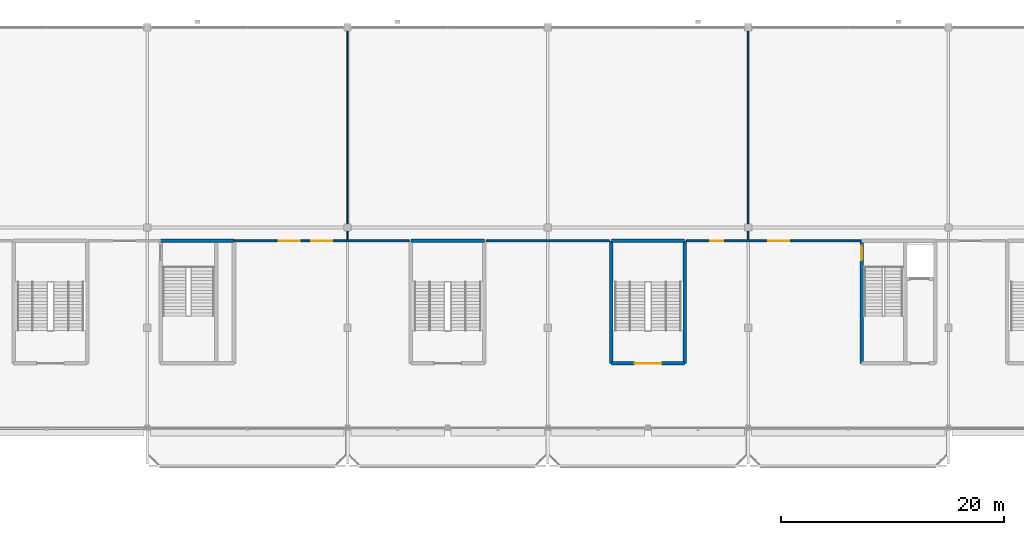
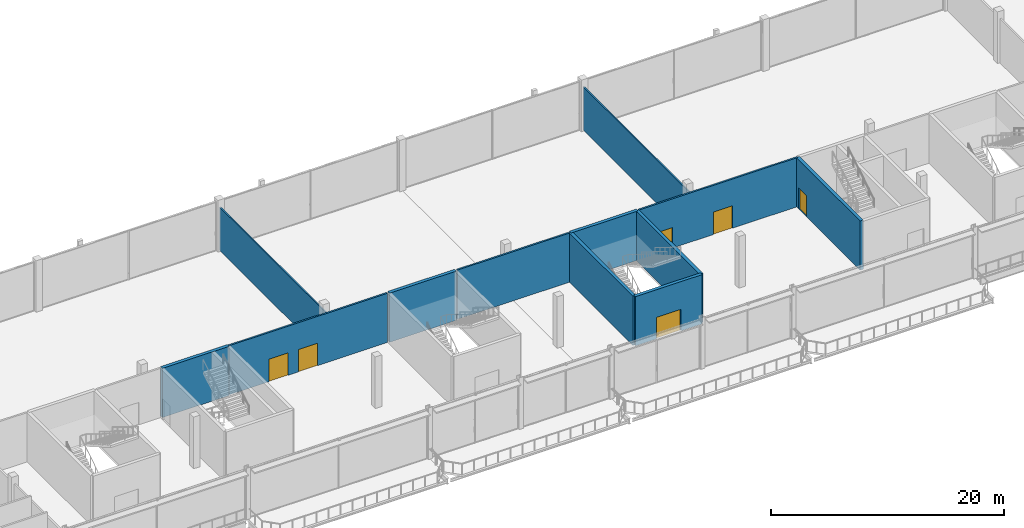
# One storey, part 68 of 113: 12 walls, 6 doors, 6 openings.
"""IFC4 building model written with IfcOpenShell, lengths in metres."""

from ifc_helpers import new_model, si_unit, direction, frame, frame_2d, origin, place, context, subcontext, project, spatial, rectangle, extrude, material, layer, layer_set, type_object, element, fill, save


model = new_model("IFC4")

# Units and contexts
model_context = context("Model", 3, precision=1e-05, world=origin(), true_north=direction((0.0, 1.0)))
body_context = subcontext(model_context, "Body", "Model", "MODEL_VIEW")
ifc_project = project(units=[si_unit("LENGTHUNIT", "METRE"), si_unit("AREAUNIT", "SQUARE_METRE"), si_unit("VOLUMEUNIT", "CUBIC_METRE"), si_unit("PLANEANGLEUNIT", "RADIAN"), si_unit("MASSUNIT", "GRAM", prefix="KILO")], contexts=[model_context])

# Site, building, storey
site_placement = place(None, origin())
site = spatial("IfcSite", under=ifc_project, at=site_placement, CompositionType="ELEMENT")
building_placement = place(site_placement, origin())
building = spatial("IfcBuilding", under=site, at=building_placement, Name="Kisiwana Market Hall", CompositionType="ELEMENT")
storey_placement = place(building_placement, frame((0.0, 0.0, 6.0)))
storey = spatial("IfcBuildingStorey", under=building, at=storey_placement, Name="L01", CompositionType="ELEMENT", Elevation=6.0)

# Wall
ifc_material_1 = material(Name="Concrete C40/50", Category="concrete")
ifc_layer_1 = layer(ifc_material_1, 0.320068359375, Name="Reinforced concrete shaft wall")
ifc_layer_set_1 = layer_set([ifc_layer_1], Name="WL-CORE-320")
wall_type_1 = type_object("IfcWallType", Name="WL-CORE-320", PredefinedType="SHEAR", material=ifc_layer_set_1)
wall_1_placement = place(storey_placement, frame((64.199951171875, 100.800048828125, 0.0), z_axis=(0.0, 0.0, 1.0), x_axis=(1.0, 0.0, 0.0)))
element("IfcWall", 1, at=wall_1_placement, inside=storey, type_object=wall_type_1, Name="Core N1 north wall W-0720", PredefinedType="SHEAR", context=body_context, shape_type="SweptSolid", body=[
    extrude(rectangle(XDim=6.60009765625, YDim=0.320068359375, at=frame_2d((3.300048828125, 0.0))), origin(), (0.0, 0.0, 1.0), 5.14990234375),
])

# Wall, opening, door
wall_2_placement = place(storey_placement, frame((127.199951171875, 89.800048828125, 0.0), z_axis=(0.0, 0.0, 1.0), x_axis=(0.0, 1.0, 0.0)))
wall_2 = element("IfcWall", 2, at=wall_2_placement, inside=storey, type_object=wall_type_1, Name="Core N2 west wall W-0726", PredefinedType="SHEAR", context=body_context, shape_type="SweptSolid", body=[
    extrude(rectangle(XDim=11.0, YDim=0.320068359375, at=frame_2d((5.5, 0.0))), origin(), (0.0, 0.0, 1.0), 5.14990234375),
])
opening_1_placement = place(wall_2_placement, frame((9.25, 0.0, 0.0)))
opening_1 = element("IfcOpeningElement", 3, at=opening_1_placement, cuts=wall_2, Name="Opening DR-L01-017", PredefinedType="OPENING", context=body_context, shape_type="SweptSolid", body=[
    extrude(rectangle(XDim=1.300048828125, YDim=2.199951171875, at=frame_2d((0.64990234375, 1.10009765625))), frame((0.0, 0.171875, 0.0), z_axis=(0.0, -1.0, 0.0), x_axis=(1.0, 0.0, 0.0)), (0.0, 0.0, 1.0), 0.343994140625),
])
ifc_material_2 = material(Name="Steel S275", Category="steel")
door_type_1 = type_object("IfcDoorType", Name="DR-STAIR-FD120-1300", OperationType="NOTDEFINED", PredefinedType="DOOR", material=ifc_material_2)
door_1_placement = place(opening_1_placement, origin())
door_1 = element("IfcDoor", 4, at=door_1_placement, inside=storey, type_object=door_type_1, Name="Podium Escape Stair N2 Fire Door (L01)", OperationType="SINGLE_SWING_RIGHT", OverallHeight=2.199951171875, OverallWidth=1.300048828125, PredefinedType="DOOR", context=body_context, shape_type="SweptSolid", body=[
    extrude(rectangle(XDim=1.300048828125, YDim=2.199951171875, at=frame_2d((0.64990234375, 1.10009765625))), frame((0.0, 0.02490234375, 0.0), z_axis=(0.0, -1.0, 0.0), x_axis=(1.0, 0.0, 0.0)), (0.0, 0.0, 1.0), 0.050048828125),
])
fill(opening_1, door_1)

# Wall
wall_3_placement = place(storey_placement, frame((86.699951171875, 100.800048828125, 0.0), z_axis=(0.0, 0.0, 1.0), x_axis=(1.0, 0.0, 0.0)))
element("IfcWall", 5, at=wall_3_placement, inside=storey, type_object=wall_type_1, Name="Core N4 outer shear wall W-0807", PredefinedType="SHEAR", context=body_context, shape_type="SweptSolid", body=[
    extrude(rectangle(XDim=6.60009765625, YDim=0.320068359375, at=frame_2d((3.300048828125, 0.0))), origin(), (0.0, 0.0, 1.0), 5.14990234375),
])

# Wall, opening, door
wall_4_placement = place(storey_placement, frame((104.699951171875, 89.800048828125, 0.0), z_axis=(0.0, 0.0, 1.0), x_axis=(1.0, 0.0, 0.0)))
wall_4 = element("IfcWall", 6, at=wall_4_placement, inside=storey, type_object=wall_type_1, Name="Core N5 corridor shear wall W-0814", PredefinedType="SHEAR", context=body_context, shape_type="SweptSolid", body=[
    extrude(rectangle(XDim=6.60009765625, YDim=0.320068359375, at=frame_2d((3.300048828125, 0.0))), origin(), (0.0, 0.0, 1.0), 5.14990234375),
])
opening_2_placement = place(wall_4_placement, frame((2.10009765625, 0.0, 0.0)))
opening_2 = element("IfcOpeningElement", 7, at=opening_2_placement, cuts=wall_4, Name="Opening DR-L01-038", PredefinedType="OPENING", context=body_context, shape_type="SweptSolid", body=[
    extrude(rectangle(XDim=2.39990234375, YDim=2.25, at=frame_2d((1.199951171875, 1.125))), frame((0.0, 0.171875, 0.0), z_axis=(0.0, -1.0, 0.0), x_axis=(1.0, 0.0, 0.0)), (0.0, 0.0, 1.0), 0.343994140625),
])
ifc_material_3 = material(Name="Steel S275", Category="steel")
door_type_2 = type_object("IfcDoorType", Name="DR-STAIR-FD120-2400", OperationType="DOUBLE_DOOR_SINGLE_SWING", PredefinedType="DOOR", material=ifc_material_3)
door_2_placement = place(opening_2_placement, origin())
door_2 = element("IfcDoor", 8, at=door_2_placement, inside=storey, type_object=door_type_2, Name="Escape Stair N5 Fire Door (L01)", OperationType="DOUBLE_DOOR_SINGLE_SWING", OverallHeight=2.25, OverallWidth=2.39990234375, PredefinedType="DOOR", context=body_context, shape_type="SweptSolid", body=[
    extrude(rectangle(XDim=2.39990234375, YDim=2.25, at=frame_2d((1.199951171875, 1.125))), frame((0.0, 0.02490234375, 0.0), z_axis=(0.0, -1.0, 0.0), x_axis=(1.0, 0.0, 0.0)), (0.0, 0.0, 1.0), 0.050048828125),
])
fill(opening_2, door_2)

# Walls
wall_5_placement = place(storey_placement, frame((104.699951171875, 100.800048828125, 0.0), z_axis=(0.0, 0.0, 1.0), x_axis=(1.0, 0.0, 0.0)))
element("IfcWall", 9, at=wall_5_placement, inside=storey, type_object=wall_type_1, Name="Core N5 outer shear wall W-0815", PredefinedType="SHEAR", context=body_context, shape_type="SweptSolid", body=[
    extrude(rectangle(XDim=6.60009765625, YDim=0.320068359375, at=frame_2d((3.300048828125, 0.0))), origin(), (0.0, 0.0, 1.0), 5.14990234375),
])
for number, where, z_axis, x_axis, name in (
    (10, (104.699951171875, 89.800048828125, 0.0), (0.0, 0.0, 1.0), (0.0, 1.0, 0.0), "Core N5 west shear wall W-0816"),
    (11, (111.300048828125, 89.800048828125, 0.0), (0.0, 0.0, 1.0), (0.0, 1.0, 0.0), "Core N5 east shear wall W-0817"),
):
    element("IfcWall", number, at=place(storey_placement, frame(where, z_axis=z_axis, x_axis=x_axis)), inside=storey, type_object=wall_type_1, Name=name, PredefinedType="SHEAR", context=body_context, shape_type="SweptSolid", body=[
        extrude(rectangle(XDim=11.0, YDim=0.320068359375, at=frame_2d((5.5, 0.0))), origin(), (0.0, 0.0, 1.0), 5.14990234375),
    ])

# Wall, openings, doors
ifc_material_4 = material(Name="Masonry blockwork", Category="masonry")
ifc_layer_2 = layer(ifc_material_4, 0.169921875, Name="Protected corridor partition")
ifc_layer_set_2 = layer_set([ifc_layer_2], Name="WL-CORR-170")
wall_type_2 = type_object("IfcWallType", Name="WL-CORR-170", PredefinedType="PARTITIONING", material=ifc_layer_set_2)
wall_6_placement = place(storey_placement, frame((70.800048828125, 100.800048828125, 0.0), z_axis=(0.0, 0.0, 1.0), x_axis=(1.0, 0.0, 0.0)))
wall_6 = element("IfcWall", 12, at=wall_6_placement, inside=storey, type_object=wall_type_2, Name="Interior partition W-0913", PredefinedType="PARTITIONING", context=body_context, shape_type="SweptSolid", body=[
    extrude(rectangle(XDim=15.739990234375, YDim=0.169921875, at=frame_2d((7.8701171875, 0.0))), origin(), (0.0, 0.0, 1.0), 5.14990234375),
])
opening_3_placement = place(wall_6_placement, frame((4.0, 0.0, 0.0)))
opening_3 = element("IfcOpeningElement", 13, at=opening_3_placement, cuts=wall_6, Name="Opening DR-L01-084", PredefinedType="OPENING", context=body_context, shape_type="SweptSolid", body=[
    extrude(rectangle(XDim=1.89990234375, YDim=2.35009765625, at=frame_2d((0.949951171875, 1.175048828125))), frame((0.0, 0.096923828125, 0.0), z_axis=(0.0, -1.0, 0.0), x_axis=(1.0, 0.0, 0.0)), (0.0, 0.0, 1.0), 0.19384765625),
])
opening_4_placement = place(wall_6_placement, frame((6.919921875, 0.0, 0.0)))
opening_4 = element("IfcOpeningElement", 14, at=opening_4_placement, cuts=wall_6, Name="Opening DR-L01-085", PredefinedType="OPENING", context=body_context, shape_type="SweptSolid", body=[
    extrude(rectangle(XDim=1.89990234375, YDim=2.35009765625, at=frame_2d((0.949951171875, 1.175048828125))), frame((0.0, 0.096923828125, 0.0), z_axis=(0.0, -1.0, 0.0), x_axis=(1.0, 0.0, 0.0)), (0.0, 0.0, 1.0), 0.19384765625),
])
ifc_material_5 = material(Name="Steel S275", Category="steel")
door_type_3 = type_object("IfcDoorType", Name="DR-HALL-1900", OperationType="DOUBLE_DOOR_SINGLE_SWING", PredefinedType="DOOR", material=ifc_material_5)
door_3_placement = place(opening_3_placement, origin())
door_3 = element("IfcDoor", 15, at=door_3_placement, inside=storey, type_object=door_type_3, Name="L01 Food Court NW Inner Door", OperationType="DOUBLE_DOOR_SINGLE_SWING", OverallHeight=2.35009765625, OverallWidth=1.89990234375, PredefinedType="DOOR", context=body_context, shape_type="SweptSolid", body=[
    extrude(rectangle(XDim=1.89990234375, YDim=2.35009765625, at=frame_2d((0.949951171875, 1.175048828125))), frame((0.0, 0.02490234375, 0.0), z_axis=(0.0, -1.0, 0.0), x_axis=(1.0, 0.0, 0.0)), (0.0, 0.0, 1.0), 0.050048828125),
])
fill(opening_3, door_3)
door_4_placement = place(opening_4_placement, origin())
door_4 = element("IfcDoor", 16, at=door_4_placement, inside=storey, type_object=door_type_3, Name="L01 Food Court Central North Door", OperationType="DOUBLE_DOOR_SINGLE_SWING", OverallHeight=2.35009765625, OverallWidth=1.89990234375, PredefinedType="DOOR", context=body_context, shape_type="SweptSolid", body=[
    extrude(rectangle(XDim=1.89990234375, YDim=2.35009765625, at=frame_2d((0.949951171875, 1.175048828125))), frame((0.0, 0.02490234375, 0.0), z_axis=(0.0, -1.0, 0.0), x_axis=(1.0, 0.0, 0.0)), (0.0, 0.0, 1.0), 0.050048828125),
])
fill(opening_4, door_4)

# Wall
wall_7_placement = place(storey_placement, frame((93.4599609375, 100.800048828125, 0.0), z_axis=(0.0, 0.0, 1.0), x_axis=(1.0, 0.0, 0.0)))
element("IfcWall", 17, at=wall_7_placement, inside=storey, type_object=wall_type_2, Name="Interior partition W-0914", PredefinedType="PARTITIONING", context=body_context, shape_type="SweptSolid", body=[
    extrude(rectangle(XDim=11.080078125, YDim=0.169921875, at=frame_2d((5.5400390625, 0.0))), origin(), (0.0, 0.0, 1.0), 5.14990234375),
])

# Wall, openings, doors
wall_8_placement = place(storey_placement, frame((111.4599609375, 100.800048828125, 0.0), z_axis=(0.0, 0.0, 1.0), x_axis=(1.0, 0.0, 0.0)))
wall_8 = element("IfcWall", 18, at=wall_8_placement, inside=storey, type_object=wall_type_2, Name="Interior partition W-0915", PredefinedType="PARTITIONING", context=body_context, shape_type="SweptSolid", body=[
    extrude(rectangle(XDim=15.739990234375, YDim=0.169921875, at=frame_2d((7.8701171875, 0.0))), origin(), (0.0, 0.0, 1.0), 5.14990234375),
])
opening_5_placement = place(wall_8_placement, frame((7.340087890625, 0.0, 0.0)))
opening_5 = element("IfcOpeningElement", 19, at=opening_5_placement, cuts=wall_8, Name="Opening DR-L01-086", PredefinedType="OPENING", context=body_context, shape_type="SweptSolid", body=[
    extrude(rectangle(XDim=1.89990234375, YDim=2.35009765625, at=frame_2d((0.949951171875, 1.175048828125))), frame((0.0, 0.096923828125, 0.0), z_axis=(0.0, -1.0, 0.0), x_axis=(1.0, 0.0, 0.0)), (0.0, 0.0, 1.0), 0.19384765625),
])
opening_6_placement = place(wall_8_placement, frame((2.14990234375, 0.0, 0.0)))
opening_6 = element("IfcOpeningElement", 20, at=opening_6_placement, cuts=wall_8, Name="Opening DR-L01-087", PredefinedType="OPENING", context=body_context, shape_type="SweptSolid", body=[
    extrude(rectangle(XDim=1.14990234375, YDim=2.14990234375, at=frame_2d((0.574951171875, 1.074951171875))), frame((0.0, 0.096923828125, 0.0), z_axis=(0.0, -1.0, 0.0), x_axis=(1.0, 0.0, 0.0)), (0.0, 0.0, 1.0), 0.19384765625),
])
door_5_placement = place(opening_5_placement, origin())
door_5 = element("IfcDoor", 21, at=door_5_placement, inside=storey, type_object=door_type_3, Name="L01 Food Court NE Inner Door", OperationType="DOUBLE_DOOR_SINGLE_SWING", OverallHeight=2.35009765625, OverallWidth=1.89990234375, PredefinedType="DOOR", context=body_context, shape_type="SweptSolid", body=[
    extrude(rectangle(XDim=1.89990234375, YDim=2.35009765625, at=frame_2d((0.949951171875, 1.175048828125))), frame((0.0, 0.02490234375, 0.0), z_axis=(0.0, -1.0, 0.0), x_axis=(1.0, 0.0, 0.0)), (0.0, 0.0, 1.0), 0.050048828125),
])
fill(opening_5, door_5)
ifc_material_6 = material(Name="Aluminium alloy 6063-T6", Category="aluminium")
door_type_4 = type_object("IfcDoorType", Name="DR-MEET-1150", OperationType="NOTDEFINED", PredefinedType="DOOR", material=ifc_material_6)
door_6_placement = place(opening_6_placement, origin())
door_6 = element("IfcDoor", 22, at=door_6_placement, inside=storey, type_object=door_type_4, Name="L01 E Food Court Cooked-Food Stalls North Door", OperationType="SINGLE_SWING_LEFT", OverallHeight=2.14990234375, OverallWidth=1.14990234375, PredefinedType="DOOR", context=body_context, shape_type="SweptSolid", body=[
    extrude(rectangle(XDim=1.14990234375, YDim=2.14990234375, at=frame_2d((0.574951171875, 1.074951171875))), frame((0.0, 0.02490234375, 0.0), z_axis=(0.0, -1.0, 0.0), x_axis=(1.0, 0.0, 0.0)), (0.0, 0.0, 1.0), 0.050048828125),
])
fill(opening_6, door_6)

# Walls
ifc_material_7 = material(Name="Gypsum plasterboard")
ifc_layer_3 = layer(ifc_material_7, 0.125, Name="Double gypsum board + acoustic stud")
ifc_layer_set_3 = layer_set([ifc_layer_3], Name="WL-OFF-125")
wall_type_3 = type_object("IfcWallType", Name="WL-OFF-125", PredefinedType="PARTITIONING", material=ifc_layer_set_3)
for number, where, z_axis, x_axis, name in (
    (23, (81.0, 100.885009765625, 0.0), (0.0, 0.0, 1.0), (0.0, 1.0, 0.0), "Interior partition W-0901"),
    (24, (117.0, 100.885009765625, 0.0), (0.0, 0.0, 1.0), (0.0, 1.0, 0.0), "Interior partition W-0903"),
):
    element("IfcWall", number, at=place(storey_placement, frame(where, z_axis=z_axis, x_axis=x_axis)), inside=storey, type_object=wall_type_3, Name=name, PredefinedType="PARTITIONING", context=body_context, shape_type="SweptSolid", body=[
        extrude(rectangle(XDim=18.95751953125, YDim=0.125, at=frame_2d((9.478759765625, 0.0))), origin(), (0.0, 0.0, 1.0), 4.537841796875),
    ])

save(model, "model.ifc")
